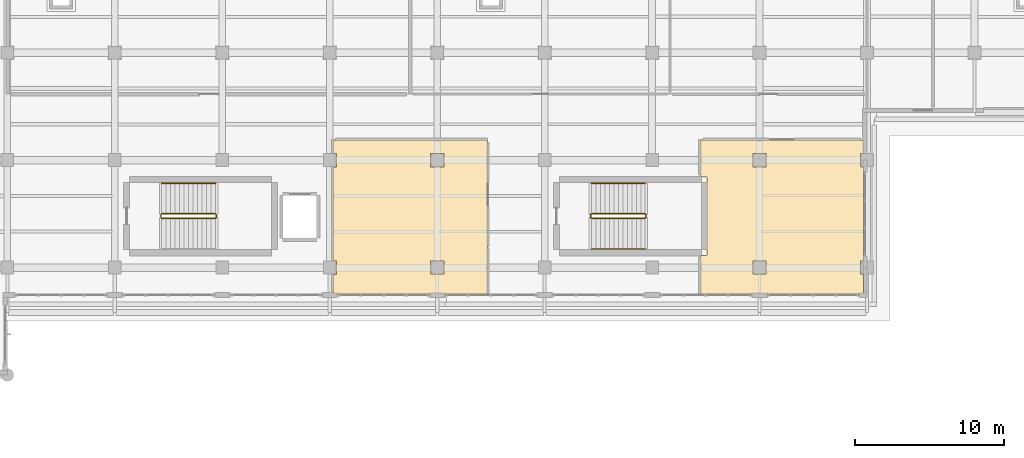
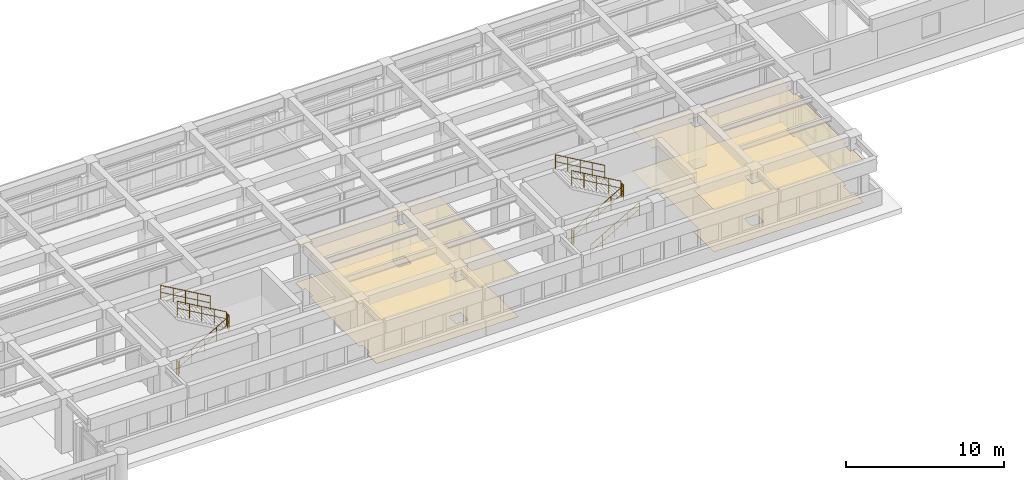
# One storey, part 91 of 98: 11 railings, 4 coverings.
"""IFC4 building model written with IfcOpenShell, lengths in metres."""

from ifc_helpers import new_model, si_unit, direction, frame, origin, origin_2d, place, context, subcontext, project, spatial, polyline, circle, outline, extrude, material, layer, layer_set, type_object, element, save


model = new_model("IFC4")

# Units and contexts
model_context = context("Model", 3, precision=1e-05, world=origin(), true_north=direction((0.0, 1.0)))
body_context = subcontext(model_context, "Body", "Model", "MODEL_VIEW")
ifc_project = project(units=[si_unit("LENGTHUNIT", "METRE"), si_unit("AREAUNIT", "SQUARE_METRE"), si_unit("VOLUMEUNIT", "CUBIC_METRE"), si_unit("PLANEANGLEUNIT", "RADIAN"), si_unit("MASSUNIT", "GRAM", prefix="KILO")], contexts=[model_context])

# Site, building, storey
site_placement = place(None, origin())
site = spatial("IfcSite", under=ifc_project, at=site_placement, CompositionType="ELEMENT")
building_placement = place(site_placement, origin())
building = spatial("IfcBuilding", under=site, at=building_placement, Name="Solenvale Faculty of Natural Sciences", CompositionType="ELEMENT")
storey_placement = place(building_placement, frame((0.0, 0.0, 9.0)))
storey = spatial("IfcBuildingStorey", under=building, at=storey_placement, Name="L02", CompositionType="ELEMENT", Elevation=9.0)

# Coverings
ifc_material_1 = material(Name="Acoustic mineral-timber ceiling", Category="wood")
ifc_layer_1 = layer(ifc_material_1, 0.02490234375)
ifc_layer_set_1 = layer_set([ifc_layer_1], Name="Acoustic mineral-timber ceiling")
covering_type_1 = type_object("IfcCoveringType", Name="COV-CEIL-AC25", PredefinedType="CEILING", material=ifc_layer_set_1)
covering_1_placement = place(storey_placement, frame((0.0, 0.0, 3.235107421875)))
element("IfcCovering", 1, at=covering_1_placement, inside=storey, type_object=covering_type_1, Name="L02 Biochemistry Teaching Laboratory Acoustic Ceiling", PredefinedType="CEILING", context=body_context, shape_type="SweptSolid", body=[
    extrude(outline(polyline([(89.72998046875, 30.159912109375), (89.7509765625, 30.15087890625), (89.760009765625, 30.1298828125), (89.760009765625, 23.0), (89.780029296875, 22.950927734375), (89.780029296875, 19.8701171875), (89.77099609375, 19.84912109375), (89.75, 19.840087890625), (79.449951171875, 19.840087890625), (79.428955078125, 19.84912109375), (79.419921875, 19.8701171875), (79.4208984375, 21.1259765625), (79.444091796875, 21.14892578125), (79.64111328125, 21.14990234375), (79.64990234375, 21.160888671875), (79.64990234375, 22.0419921875), (79.444091796875, 22.051025390625), (79.419921875, 22.080078125), (79.419921875, 28.320068359375), (79.444091796875, 28.34912109375), (79.64111328125, 28.35009765625), (79.64990234375, 28.361083984375), (79.64990234375, 29.242919921875), (79.444091796875, 29.2509765625), (79.419921875, 29.277099609375), (79.419921875, 30.1298828125), (79.428955078125, 30.15087890625), (79.449951171875, 30.159912109375), (89.72998046875, 30.159912109375)]), holes=[polyline([(85.9609375, 29.25), (85.949951171875, 29.239013671875), (85.952880859375, 28.35302734375), (86.846923828125, 28.35302734375), (86.846923828125, 29.2470703125), (85.9609375, 29.25)]), polyline([(86.85009765625, 22.0390625), (86.839111328125, 22.050048828125), (85.952880859375, 22.047119140625), (85.952880859375, 21.153076171875), (86.846923828125, 21.153076171875), (86.85009765625, 22.0390625)])]), origin(), (0.0, 0.0, 1.0), 0.02490234375),
])
covering_2_placement = place(storey_placement, frame((0.0, 0.0, 3.235107421875)))
element("IfcCovering", 2, at=covering_2_placement, inside=storey, type_object=covering_type_1, Name="L02 Inorganic Chemistry Laboratory Acoustic Ceiling", PredefinedType="CEILING", context=body_context, shape_type="SweptSolid", body=[
    extrude(outline(polyline([(104.050048828125, 19.840087890625), (104.029052734375, 19.84912109375), (104.02001953125, 19.8701171875), (104.02099609375, 22.39599609375), (104.047119140625, 22.419921875), (104.4541015625, 22.419921875), (104.47998046875, 22.447998046875), (104.47998046875, 27.64990234375), (104.4541015625, 27.679931640625), (104.047119140625, 27.679931640625), (104.02099609375, 27.7041015625), (104.02001953125, 30.1298828125), (104.029052734375, 30.15087890625), (104.050048828125, 30.159912109375), (114.929931640625, 30.159912109375), (114.950927734375, 30.15087890625), (114.9599609375, 30.1298828125), (114.958984375, 29.27392578125), (114.93603515625, 29.2509765625), (114.759033203125, 29.25), (114.75, 29.239013671875), (114.75, 28.35791015625), (114.93603515625, 28.34912109375), (114.9599609375, 28.320068359375), (114.9599609375, 22.080078125), (114.93603515625, 22.051025390625), (114.759033203125, 22.050048828125), (114.75, 22.0390625), (114.75, 21.157958984375), (114.93603515625, 21.14892578125), (114.9599609375, 21.123046875), (114.9599609375, 19.8701171875), (114.950927734375, 19.84912109375), (114.929931640625, 19.840087890625), (104.050048828125, 19.840087890625)]), holes=[polyline([(107.56103515625, 22.050048828125), (107.550048828125, 22.0390625), (107.552978515625, 21.153076171875), (108.447021484375, 21.153076171875), (108.447021484375, 22.047119140625), (107.56103515625, 22.050048828125)]), polyline([(107.56103515625, 29.25), (107.550048828125, 29.239013671875), (107.552978515625, 28.35302734375), (108.447021484375, 28.35302734375), (108.447021484375, 29.2470703125), (107.56103515625, 29.25)])]), origin(), (0.0, 0.0, 1.0), 0.02490234375),
])
ifc_material_2 = material(Name="Seamless laboratory vinyl flooring")
ifc_layer_2 = layer(ifc_material_2, 0.008056640625)
ifc_layer_set_2 = layer_set([ifc_layer_2], Name="Seamless laboratory vinyl flooring")
covering_type_2 = type_object("IfcCoveringType", Name="COV-FLR-VNL08", PredefinedType="FLOORING", material=ifc_layer_set_2)
covering_3_placement = place(storey_placement, origin())
element("IfcCovering", 3, at=covering_3_placement, inside=storey, type_object=covering_type_2, Name="L02 Biochemistry Teaching Laboratory Floor Finish", PredefinedType="FLOORING", context=body_context, shape_type="SweptSolid", body=[
    extrude(outline(polyline([(89.72998046875, 30.159912109375), (89.7509765625, 30.15087890625), (89.760009765625, 30.1298828125), (89.760009765625, 23.0), (89.780029296875, 22.950927734375), (89.780029296875, 19.8701171875), (89.77099609375, 19.84912109375), (89.75, 19.840087890625), (79.449951171875, 19.840087890625), (79.428955078125, 19.84912109375), (79.419921875, 19.8701171875), (79.4208984375, 21.1259765625), (79.444091796875, 21.14892578125), (79.64111328125, 21.14990234375), (79.64990234375, 21.160888671875), (79.64990234375, 22.0419921875), (79.444091796875, 22.051025390625), (79.419921875, 22.080078125), (79.419921875, 28.320068359375), (79.444091796875, 28.34912109375), (79.64111328125, 28.35009765625), (79.64990234375, 28.361083984375), (79.64990234375, 29.242919921875), (79.444091796875, 29.2509765625), (79.419921875, 29.277099609375), (79.419921875, 30.1298828125), (79.428955078125, 30.15087890625), (79.449951171875, 30.159912109375), (89.72998046875, 30.159912109375)]), holes=[polyline([(85.9609375, 29.25), (85.949951171875, 29.239013671875), (85.952880859375, 28.35302734375), (86.846923828125, 28.35302734375), (86.846923828125, 29.2470703125), (85.9609375, 29.25)]), polyline([(86.85009765625, 22.0390625), (86.839111328125, 22.050048828125), (85.952880859375, 22.047119140625), (85.952880859375, 21.153076171875), (86.846923828125, 21.153076171875), (86.85009765625, 22.0390625)])]), origin(), (0.0, 0.0, 1.0), 0.008056640625),
])
covering_4_placement = place(storey_placement, origin())
element("IfcCovering", 4, at=covering_4_placement, inside=storey, type_object=covering_type_2, Name="L02 Inorganic Chemistry Laboratory Floor Finish", PredefinedType="FLOORING", context=body_context, shape_type="SweptSolid", body=[
    extrude(outline(polyline([(104.050048828125, 19.840087890625), (104.029052734375, 19.84912109375), (104.02001953125, 19.8701171875), (104.02099609375, 22.39599609375), (104.047119140625, 22.419921875), (104.4541015625, 22.419921875), (104.47998046875, 22.447998046875), (104.47998046875, 27.64990234375), (104.4541015625, 27.679931640625), (104.047119140625, 27.679931640625), (104.02099609375, 27.7041015625), (104.02001953125, 30.1298828125), (104.029052734375, 30.15087890625), (104.050048828125, 30.159912109375), (114.929931640625, 30.159912109375), (114.950927734375, 30.15087890625), (114.9599609375, 30.1298828125), (114.958984375, 29.27392578125), (114.93603515625, 29.2509765625), (114.759033203125, 29.25), (114.75, 29.239013671875), (114.75, 28.35791015625), (114.93603515625, 28.34912109375), (114.9599609375, 28.320068359375), (114.9599609375, 22.080078125), (114.93603515625, 22.051025390625), (114.759033203125, 22.050048828125), (114.75, 22.0390625), (114.75, 21.157958984375), (114.93603515625, 21.14892578125), (114.9599609375, 21.123046875), (114.9599609375, 19.8701171875), (114.950927734375, 19.84912109375), (114.929931640625, 19.840087890625), (104.050048828125, 19.840087890625)]), holes=[polyline([(107.56103515625, 22.050048828125), (107.550048828125, 22.0390625), (107.552978515625, 21.153076171875), (108.447021484375, 21.153076171875), (108.447021484375, 22.047119140625), (107.56103515625, 22.050048828125)]), polyline([(107.56103515625, 29.25), (107.550048828125, 29.239013671875), (107.552978515625, 28.35302734375), (108.447021484375, 28.35302734375), (108.447021484375, 29.2470703125), (107.56103515625, 29.25)])]), origin(), (0.0, 0.0, 1.0), 0.008056640625),
])

# Railings
ifc_material_3 = material(Name="Stainless steel Grade 304", Category="steel")
railing_type_1 = type_object("IfcRailingType", Name="RL-GRD-1100", PredefinedType="GUARDRAIL", material=ifc_material_3)
railing_1_placement = place(storey_placement, frame((67.93994140625, 24.89990234375, 0.173095703125)))
element("IfcRailing", 5, at=railing_1_placement, inside=storey, type_object=railing_type_1, Name="L02 ST-03 stair guard 1", PredefinedType="GUARDRAIL", context=body_context, shape_type="SweptSolid", body=[
    extrude(circle(Radius=0.02392578125, at=origin_2d()), frame((0.0, 0.0, 1.09619140625), z_axis=(0.866193409371, 0.0, 0.499708892819), x_axis=(0.0, 1.0, 0.0)), (0.0, 0.0, 1.0), 4.15625),
    extrude(circle(Radius=0.01611328125, at=origin_2d()), frame((0.0, 0.0, 0.56005859375), z_axis=(0.866193409371, 0.0, 0.499708892819), x_axis=(0.0, 1.0, 0.0)), (0.0, 0.0, 1.0), 4.15625),
    extrude(circle(Radius=0.02099609375, at=origin_2d()), origin(), (0.0, 0.0, 1.0), 1.072021484375),
    extrude(circle(Radius=0.02099609375, at=origin_2d()), frame((0.89990234375, 0.0, 0.519287109375)), (0.0, 0.0, 1.0), 1.072021484375),
    extrude(circle(Radius=0.02099609375, at=origin_2d()), frame((1.800048828125, 0.0, 1.03857421875)), (0.0, 0.0, 1.0), 1.072021484375),
    extrude(circle(Radius=0.02099609375, at=origin_2d()), frame((2.7001953125, 0.0, 1.5576171875)), (0.0, 0.0, 1.0), 1.072021484375),
    extrude(circle(Radius=0.02099609375, at=origin_2d()), frame((3.60009765625, 0.0, 2.076904296875)), (0.0, 0.0, 1.0), 1.072021484375),
])
railing_2_placement = place(storey_placement, frame((71.590087890625, 24.949951171875, 2.25)))
element("IfcRailing", 6, at=railing_2_placement, inside=storey, type_object=railing_type_1, Name="L02 ST-03 stair guard 2", PredefinedType="GUARDRAIL", context=body_context, shape_type="SweptSolid", body=[
    extrude(circle(Radius=0.02392578125, at=origin_2d()), frame((0.0, 0.0, 1.09619140625), z_axis=(0.0, 1.0, 0.0), x_axis=(-1.0, 0.0, 0.0)), (0.0, 0.0, 1.0), 0.199951171875),
    extrude(circle(Radius=0.01611328125, at=origin_2d()), frame((0.0, 0.0, 0.56005859375), z_axis=(0.0, 1.0, 0.0), x_axis=(-1.0, 0.0, 0.0)), (0.0, 0.0, 1.0), 0.199951171875),
    extrude(circle(Radius=0.02099609375, at=origin_2d()), origin(), (0.0, 0.0, 1.0), 1.072021484375),
    extrude(circle(Radius=0.02099609375, at=origin_2d()), frame((0.0, 0.199951171875, 0.0)), (0.0, 0.0, 1.0), 1.072021484375),
])
railing_3_placement = place(storey_placement, frame((71.5400390625, 25.199951171875, 2.423095703125)))
element("IfcRailing", 7, at=railing_3_placement, inside=storey, type_object=railing_type_1, Name="L02 ST-03 stair guard 3", PredefinedType="GUARDRAIL", context=body_context, shape_type="SweptSolid", body=[
    extrude(circle(Radius=0.02392578125, at=origin_2d()), frame((0.0, 0.0, 1.09619140625), z_axis=(-0.866193409371, 0.0, 0.499708892819), x_axis=(0.0, -1.0, 0.0)), (0.0, 0.0, 1.0), 4.15625),
    extrude(circle(Radius=0.01611328125, at=origin_2d()), frame((0.0, 0.0, 0.56005859375), z_axis=(-0.866193409371, 0.0, 0.499708892819), x_axis=(0.0, -1.0, 0.0)), (0.0, 0.0, 1.0), 4.15625),
    extrude(circle(Radius=0.02099609375, at=origin_2d()), origin(), (0.0, 0.0, 1.0), 1.072021484375),
    extrude(circle(Radius=0.02099609375, at=origin_2d()), frame((-0.89990234375, 0.0, 0.519287109375)), (0.0, 0.0, 1.0), 1.072021484375),
    extrude(circle(Radius=0.02099609375, at=origin_2d()), frame((-1.800048828125, 0.0, 1.03857421875)), (0.0, 0.0, 1.0), 1.072021484375),
    extrude(circle(Radius=0.02099609375, at=origin_2d()), frame((-2.7001953125, 0.0, 1.5576171875)), (0.0, 0.0, 1.0), 1.072021484375),
    extrude(circle(Radius=0.02099609375, at=origin_2d()), frame((-3.60009765625, 0.0, 2.076904296875)), (0.0, 0.0, 1.0), 1.072021484375),
])
railing_4_placement = place(storey_placement, frame((67.889892578125, 24.949951171875, 0.0)))
element("IfcRailing", 8, at=railing_4_placement, inside=storey, type_object=railing_type_1, Name="L02 ST-03 stair guard 4", PredefinedType="GUARDRAIL", context=body_context, shape_type="SweptSolid", body=[
    extrude(circle(Radius=0.02392578125, at=origin_2d()), frame((0.0, 0.0, 1.09619140625), z_axis=(0.0, 1.0, 0.0), x_axis=(-1.0, 0.0, 0.0)), (0.0, 0.0, 1.0), 0.199951171875),
    extrude(circle(Radius=0.01611328125, at=origin_2d()), frame((0.0, 0.0, 0.56005859375), z_axis=(0.0, 1.0, 0.0), x_axis=(-1.0, 0.0, 0.0)), (0.0, 0.0, 1.0), 0.199951171875),
    extrude(circle(Radius=0.02099609375, at=origin_2d()), origin(), (0.0, 0.0, 1.0), 1.072021484375),
    extrude(circle(Radius=0.02099609375, at=origin_2d()), frame((0.0, 0.199951171875, 0.0)), (0.0, 0.0, 1.0), 1.072021484375),
])
railing_5_placement = place(storey_placement, frame((96.739990234375, 24.89990234375, 0.173095703125)))
element("IfcRailing", 9, at=railing_5_placement, inside=storey, type_object=railing_type_1, Name="L02 ST-07 stair guard 1", PredefinedType="GUARDRAIL", context=body_context, shape_type="SweptSolid", body=[
    extrude(circle(Radius=0.02392578125, at=origin_2d()), frame((0.0, 0.0, 1.09619140625), z_axis=(0.866193409371, 0.0, 0.499708892819), x_axis=(0.0, 1.0, 0.0)), (0.0, 0.0, 1.0), 4.15625),
    extrude(circle(Radius=0.01611328125, at=origin_2d()), frame((0.0, 0.0, 0.56005859375), z_axis=(0.866193409371, 0.0, 0.499708892819), x_axis=(0.0, 1.0, 0.0)), (0.0, 0.0, 1.0), 4.15625),
    extrude(circle(Radius=0.02099609375, at=origin_2d()), origin(), (0.0, 0.0, 1.0), 1.072021484375),
    extrude(circle(Radius=0.02099609375, at=origin_2d()), frame((0.89990234375, 0.0, 0.519287109375)), (0.0, 0.0, 1.0), 1.072021484375),
    extrude(circle(Radius=0.02099609375, at=origin_2d()), frame((1.800048828125, 0.0, 1.03857421875)), (0.0, 0.0, 1.0), 1.072021484375),
    extrude(circle(Radius=0.02099609375, at=origin_2d()), frame((2.7001953125, 0.0, 1.5576171875)), (0.0, 0.0, 1.0), 1.072021484375),
    extrude(circle(Radius=0.02099609375, at=origin_2d()), frame((3.60009765625, 0.0, 2.076904296875)), (0.0, 0.0, 1.0), 1.072021484375),
])
railing_6_placement = place(storey_placement, frame((100.389892578125, 24.949951171875, 2.25)))
element("IfcRailing", 10, at=railing_6_placement, inside=storey, type_object=railing_type_1, Name="L02 ST-07 stair guard 2", PredefinedType="GUARDRAIL", context=body_context, shape_type="SweptSolid", body=[
    extrude(circle(Radius=0.02392578125, at=origin_2d()), frame((0.0, 0.0, 1.09619140625), z_axis=(0.0, 1.0, 0.0), x_axis=(-1.0, 0.0, 0.0)), (0.0, 0.0, 1.0), 0.199951171875),
    extrude(circle(Radius=0.01611328125, at=origin_2d()), frame((0.0, 0.0, 0.56005859375), z_axis=(0.0, 1.0, 0.0), x_axis=(-1.0, 0.0, 0.0)), (0.0, 0.0, 1.0), 0.199951171875),
    extrude(circle(Radius=0.02099609375, at=origin_2d()), origin(), (0.0, 0.0, 1.0), 1.072021484375),
    extrude(circle(Radius=0.02099609375, at=origin_2d()), frame((0.0, 0.199951171875, 0.0)), (0.0, 0.0, 1.0), 1.072021484375),
])
railing_7_placement = place(storey_placement, frame((100.340087890625, 25.199951171875, 2.423095703125)))
element("IfcRailing", 11, at=railing_7_placement, inside=storey, type_object=railing_type_1, Name="L02 ST-07 stair guard 3", PredefinedType="GUARDRAIL", context=body_context, shape_type="SweptSolid", body=[
    extrude(circle(Radius=0.02392578125, at=origin_2d()), frame((0.0, 0.0, 1.09619140625), z_axis=(-0.866193409371, 0.0, 0.499708892819), x_axis=(0.0, -1.0, 0.0)), (0.0, 0.0, 1.0), 4.15625),
    extrude(circle(Radius=0.01611328125, at=origin_2d()), frame((0.0, 0.0, 0.56005859375), z_axis=(-0.866193409371, 0.0, 0.499708892819), x_axis=(0.0, -1.0, 0.0)), (0.0, 0.0, 1.0), 4.15625),
    extrude(circle(Radius=0.02099609375, at=origin_2d()), origin(), (0.0, 0.0, 1.0), 1.072021484375),
    extrude(circle(Radius=0.02099609375, at=origin_2d()), frame((-0.89990234375, 0.0, 0.519287109375)), (0.0, 0.0, 1.0), 1.072021484375),
    extrude(circle(Radius=0.02099609375, at=origin_2d()), frame((-1.800048828125, 0.0, 1.03857421875)), (0.0, 0.0, 1.0), 1.072021484375),
    extrude(circle(Radius=0.02099609375, at=origin_2d()), frame((-2.7001953125, 0.0, 1.5576171875)), (0.0, 0.0, 1.0), 1.072021484375),
    extrude(circle(Radius=0.02099609375, at=origin_2d()), frame((-3.60009765625, 0.0, 2.076904296875)), (0.0, 0.0, 1.0), 1.072021484375),
])
railing_8_placement = place(storey_placement, frame((96.68994140625, 24.949951171875, 0.0)))
element("IfcRailing", 12, at=railing_8_placement, inside=storey, type_object=railing_type_1, Name="L02 ST-07 stair guard 4", PredefinedType="GUARDRAIL", context=body_context, shape_type="SweptSolid", body=[
    extrude(circle(Radius=0.02392578125, at=origin_2d()), frame((0.0, 0.0, 1.09619140625), z_axis=(0.0, 1.0, 0.0), x_axis=(-1.0, 0.0, 0.0)), (0.0, 0.0, 1.0), 0.199951171875),
    extrude(circle(Radius=0.01611328125, at=origin_2d()), frame((0.0, 0.0, 0.56005859375), z_axis=(0.0, 1.0, 0.0), x_axis=(-1.0, 0.0, 0.0)), (0.0, 0.0, 1.0), 0.199951171875),
    extrude(circle(Radius=0.02099609375, at=origin_2d()), origin(), (0.0, 0.0, 1.0), 1.072021484375),
    extrude(circle(Radius=0.02099609375, at=origin_2d()), frame((0.0, 0.199951171875, 0.0)), (0.0, 0.0, 1.0), 1.072021484375),
])
railing_type_2 = type_object("IfcRailingType", Name="RL-HND-900", PredefinedType="HANDRAIL", material=ifc_material_3)
railing_9_placement = place(storey_placement, frame((71.5400390625, 27.25, 2.423095703125)))
element("IfcRailing", 13, at=railing_9_placement, inside=storey, type_object=railing_type_2, Name="L02 ST-03 stair handrail 2", PredefinedType="HANDRAIL", context=body_context, shape_type="SweptSolid", body=[
    extrude(circle(Radius=0.02392578125, at=origin_2d()), frame((0.0, 0.0, 1.0732421875), z_axis=(-0.866193409371, 0.0, 0.499708892819), x_axis=(0.0, -1.0, 0.0)), (0.0, 0.0, 1.0), 4.15625),
    extrude(circle(Radius=0.01611328125, at=origin_2d()), frame((0.0, 0.0, 0.548583984375), z_axis=(-0.866193409371, 0.0, 0.499708892819), x_axis=(0.0, -1.0, 0.0)), (0.0, 0.0, 1.0), 4.15625),
    extrude(circle(Radius=0.02099609375, at=origin_2d()), origin(), (0.0, 0.0, 1.0), 1.049072265625),
    extrude(circle(Radius=0.02099609375, at=origin_2d()), frame((-0.89990234375, 0.0, 0.519287109375)), (0.0, 0.0, 1.0), 1.049072265625),
    extrude(circle(Radius=0.02099609375, at=origin_2d()), frame((-1.800048828125, 0.0, 1.03857421875)), (0.0, 0.0, 1.0), 1.049072265625),
    extrude(circle(Radius=0.02099609375, at=origin_2d()), frame((-2.7001953125, 0.0, 1.5576171875)), (0.0, 0.0, 1.0), 1.049072265625),
    extrude(circle(Radius=0.02099609375, at=origin_2d()), frame((-3.60009765625, 0.0, 2.076904296875)), (0.0, 0.0, 1.0), 1.049072265625),
])
railing_10_placement = place(storey_placement, frame((96.739990234375, 22.85009765625, 0.173095703125)))
element("IfcRailing", 14, at=railing_10_placement, inside=storey, type_object=railing_type_2, Name="L02 ST-07 stair handrail 1", PredefinedType="HANDRAIL", context=body_context, shape_type="SweptSolid", body=[
    extrude(circle(Radius=0.02392578125, at=origin_2d()), frame((0.0, 0.0, 1.0732421875), z_axis=(0.866193409371, 0.0, 0.499708892819), x_axis=(0.0, 1.0, 0.0)), (0.0, 0.0, 1.0), 4.15625),
    extrude(circle(Radius=0.01611328125, at=origin_2d()), frame((0.0, 0.0, 0.548583984375), z_axis=(0.866193409371, 0.0, 0.499708892819), x_axis=(0.0, 1.0, 0.0)), (0.0, 0.0, 1.0), 4.15625),
    extrude(circle(Radius=0.02099609375, at=origin_2d()), origin(), (0.0, 0.0, 1.0), 1.049072265625),
    extrude(circle(Radius=0.02099609375, at=origin_2d()), frame((0.89990234375, 0.0, 0.519287109375)), (0.0, 0.0, 1.0), 1.049072265625),
    extrude(circle(Radius=0.02099609375, at=origin_2d()), frame((1.800048828125, 0.0, 1.03857421875)), (0.0, 0.0, 1.0), 1.049072265625),
    extrude(circle(Radius=0.02099609375, at=origin_2d()), frame((2.7001953125, 0.0, 1.5576171875)), (0.0, 0.0, 1.0), 1.049072265625),
    extrude(circle(Radius=0.02099609375, at=origin_2d()), frame((3.60009765625, 0.0, 2.076904296875)), (0.0, 0.0, 1.0), 1.049072265625),
])
railing_11_placement = place(storey_placement, frame((100.340087890625, 27.25, 2.423095703125)))
element("IfcRailing", 15, at=railing_11_placement, inside=storey, type_object=railing_type_2, Name="L02 ST-07 stair handrail 2", PredefinedType="HANDRAIL", context=body_context, shape_type="SweptSolid", body=[
    extrude(circle(Radius=0.02392578125, at=origin_2d()), frame((0.0, 0.0, 1.0732421875), z_axis=(-0.866193409371, 0.0, 0.499708892819), x_axis=(0.0, -1.0, 0.0)), (0.0, 0.0, 1.0), 4.15625),
    extrude(circle(Radius=0.01611328125, at=origin_2d()), frame((0.0, 0.0, 0.548583984375), z_axis=(-0.866193409371, 0.0, 0.499708892819), x_axis=(0.0, -1.0, 0.0)), (0.0, 0.0, 1.0), 4.15625),
    extrude(circle(Radius=0.02099609375, at=origin_2d()), origin(), (0.0, 0.0, 1.0), 1.049072265625),
    extrude(circle(Radius=0.02099609375, at=origin_2d()), frame((-0.89990234375, 0.0, 0.519287109375)), (0.0, 0.0, 1.0), 1.049072265625),
    extrude(circle(Radius=0.02099609375, at=origin_2d()), frame((-1.800048828125, 0.0, 1.03857421875)), (0.0, 0.0, 1.0), 1.049072265625),
    extrude(circle(Radius=0.02099609375, at=origin_2d()), frame((-2.7001953125, 0.0, 1.5576171875)), (0.0, 0.0, 1.0), 1.049072265625),
    extrude(circle(Radius=0.02099609375, at=origin_2d()), frame((-3.60009765625, 0.0, 2.076904296875)), (0.0, 0.0, 1.0), 1.049072265625),
])

save(model, "model.ifc")
